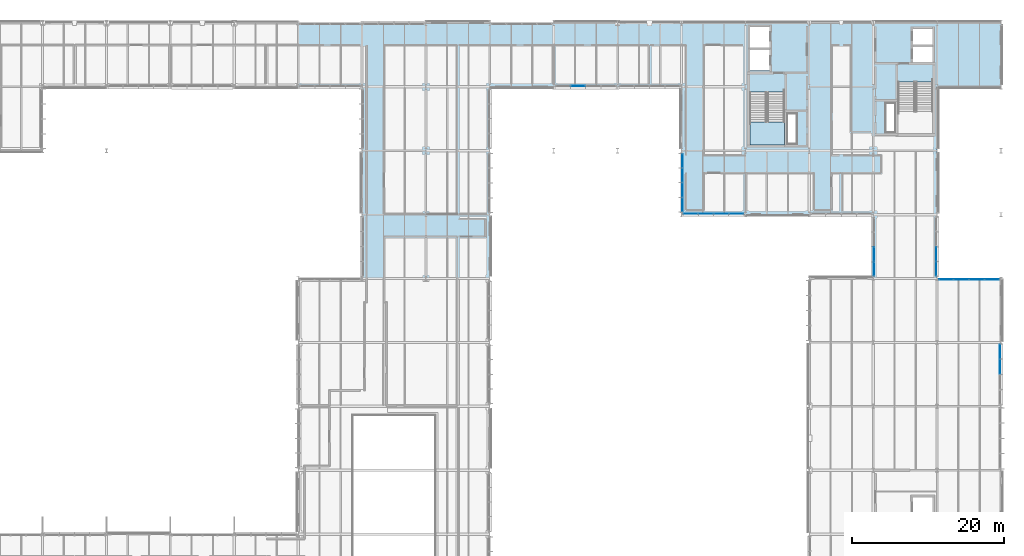
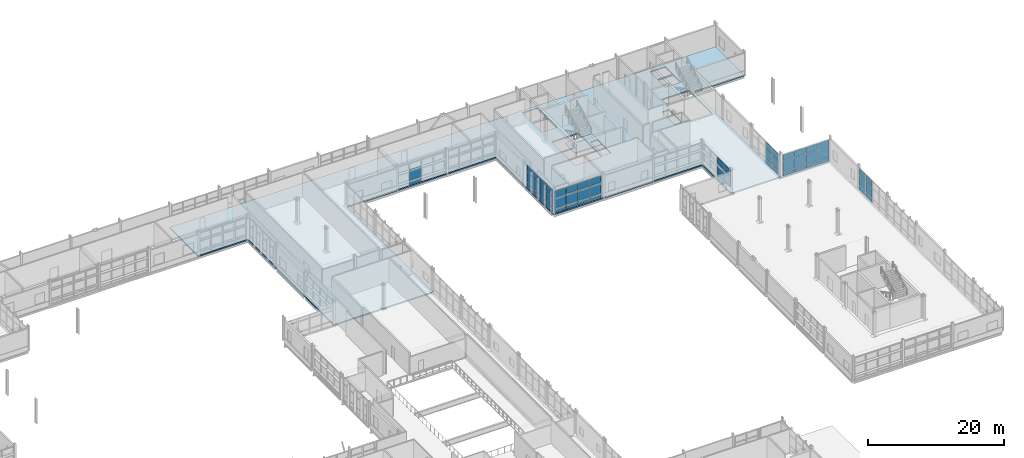
# One storey, part 91 of 129: 55 plates, 2 slabs, 8 elements without a shape of their own.
"""IFC4 building model written with IfcOpenShell, lengths in metres."""

from ifc_helpers import new_model, si_unit, direction, frame, origin, origin_2d, place, context, subcontext, project, spatial, polyline, rectangle, outline, extrude, material, layer, layer_set, type_object, element, aggregate, save


model = new_model("IFC4")

# Units and contexts
model_context = context("Model", 3, precision=1e-05, world=origin(), true_north=direction((0.0, 1.0)))
body_context = subcontext(model_context, "Body", "Model", "MODEL_VIEW")
ifc_project = project(units=[si_unit("LENGTHUNIT", "METRE"), si_unit("AREAUNIT", "SQUARE_METRE"), si_unit("VOLUMEUNIT", "CUBIC_METRE"), si_unit("PLANEANGLEUNIT", "RADIAN"), si_unit("MASSUNIT", "GRAM", prefix="KILO")], contexts=[model_context])

# Site, building, storey
site_placement = place(None, origin())
site = spatial("IfcSite", under=ifc_project, at=site_placement, CompositionType="ELEMENT")
building_placement = place(site_placement, origin())
building = spatial("IfcBuilding", under=site, at=building_placement, Name="Mersafa Astral City Hall", CompositionType="ELEMENT")
storey_placement = place(building_placement, frame((0.0, 0.0, 5.39990234375)))
storey = spatial("IfcBuildingStorey", under=building, at=storey_placement, Name="L01", CompositionType="ELEMENT", Elevation=5.39990234375)

# Curtain wall, plates
ifc_material_1 = material(Name="Anodised bronze aluminium framing", Category="aluminium")
curtain_wall_type_1 = type_object("IfcCurtainWallType", Name="ENV-CW-1", PredefinedType="USERDEFINED", material=ifc_material_1)
curtain_wall_1_placement = place(storey_placement, origin())
curtain_wall_1 = element("IfcCurtainWall", 1, at=curtain_wall_1_placement, inside=storey, type_object=curtain_wall_type_1, Name="L01 Unitised solar curtain wall 60", ObjectType="UNITISED CURTAIN WALL", PredefinedType="USERDEFINED")
ifc_material_2 = material(Name="Solar control low-e double glazing", Category="glass")
ifc_layer_1 = layer(ifc_material_2, 0.028076171875, Name="Solar control low-e double glazing")
ifc_layer_set_1 = layer_set([ifc_layer_1], Name="Solar control low-e double glazing — ENV-CW-PNL-GLZ-1")
plate_type_1 = type_object("IfcPlateType", Name="ENV-CW-PNL-GLZ-1", PredefinedType="CURTAIN_PANEL", material=ifc_layer_set_1)
plate_1_placement = place(storey_placement, frame((129.1904296875, 117.719970703125, 0.05810546875), z_axis=(0.0, 0.0, 1.0), x_axis=(1.0, 0.0, 0.0)))
plate_1 = element("IfcPlate", 2, at=plate_1_placement, type_object=plate_type_1, Name="CW-1 panel 2.1", PredefinedType="CURTAIN_PANEL", context=body_context, shape_type="SweptSolid", body=[
    extrude(rectangle(XDim=1.89892578125, YDim=0.028076171875, at=origin_2d()), origin(), (0.0, 0.0, 1.0), 0.761962890625),
])
plate_2_placement = place(storey_placement, frame((129.1904296875, 117.719970703125, 0.8798828125), z_axis=(0.0, 0.0, 1.0), x_axis=(1.0, 0.0, 0.0)))
plate_2 = element("IfcPlate", 3, at=plate_2_placement, type_object=plate_type_1, Name="CW-1 panel 2.2", PredefinedType="CURTAIN_PANEL", context=body_context, shape_type="SweptSolid", body=[
    extrude(rectangle(XDim=1.89892578125, YDim=0.028076171875, at=origin_2d()), origin(), (0.0, 0.0, 1.0), 1.840087890625),
])
aggregate(curtain_wall_1, [plate_1, plate_2])

curtain_wall_type_2 = type_object("IfcCurtainWallType", Name="ENV-CW-6", PredefinedType="USERDEFINED", material=ifc_material_1)
curtain_wall_2_placement = place(storey_placement, origin())
curtain_wall_2 = element("IfcCurtainWall", 4, at=curtain_wall_2_placement, inside=storey, type_object=curtain_wall_type_2, Name="L01 Unitised solar curtain wall 65", ObjectType="UNITISED CURTAIN WALL", PredefinedType="USERDEFINED")
ifc_layer_2 = layer(ifc_material_2, 0.031982421875, Name="Solar control low-e double glazing")
ifc_layer_set_2 = layer_set([ifc_layer_2], Name="Solar control low-e double glazing — ENV-CW-PNL-GLZ-2")
plate_type_2 = type_object("IfcPlateType", Name="ENV-CW-PNL-GLZ-2", PredefinedType="CURTAIN_PANEL", material=ifc_layer_set_2)
plate_3_placement = place(storey_placement, frame((168.1201171875, 95.5966796875, 0.05810546875), z_axis=(0.0, 0.0, 1.0), x_axis=(0.0, -1.0, 0.0)))
plate_3 = element("IfcPlate", 5, at=plate_3_placement, type_object=plate_type_2, Name="CW-6 panel 3.1", PredefinedType="CURTAIN_PANEL", context=body_context, shape_type="SweptSolid", body=[
    extrude(rectangle(XDim=1.83642578125, YDim=0.031982421875, at=origin_2d()), origin(), (0.0, 0.0, 1.0), 0.761962890625),
])
plate_4_placement = place(storey_placement, frame((168.1201171875, 95.5966796875, 0.8798828125), z_axis=(0.0, 0.0, 1.0), x_axis=(0.0, -1.0, 0.0)))
plate_4 = element("IfcPlate", 6, at=plate_4_placement, type_object=plate_type_2, Name="CW-6 panel 3.2", PredefinedType="CURTAIN_PANEL", context=body_context, shape_type="SweptSolid", body=[
    extrude(rectangle(XDim=1.83642578125, YDim=0.031982421875, at=origin_2d()), origin(), (0.0, 0.0, 1.0), 1.840087890625),
])
plate_5_placement = place(storey_placement, frame((168.1201171875, 95.5966796875, 2.780029296875), z_axis=(0.0, 0.0, 1.0), x_axis=(0.0, -1.0, 0.0)))
plate_5 = element("IfcPlate", 7, at=plate_5_placement, type_object=plate_type_2, Name="CW-6 panel 3.3", PredefinedType="CURTAIN_PANEL", context=body_context, shape_type="SweptSolid", body=[
    extrude(rectangle(XDim=1.83642578125, YDim=0.031982421875, at=origin_2d()), origin(), (0.0, 0.0, 1.0), 1.14697265625),
])
plate_6_placement = place(storey_placement, frame((168.1201171875, 93.670166015625, 0.8798828125), z_axis=(0.0, 0.0, 1.0), x_axis=(0.0, -1.0, 0.0)))
plate_6 = element("IfcPlate", 8, at=plate_6_placement, type_object=plate_type_2, Name="CW-6 panel 4.2", PredefinedType="CURTAIN_PANEL", context=body_context, shape_type="SweptSolid", body=[
    extrude(rectangle(XDim=1.776611328125, YDim=0.031982421875, at=origin_2d()), origin(), (0.0, 0.0, 1.0), 1.840087890625),
])
plate_7_placement = place(storey_placement, frame((168.1201171875, 93.670166015625, 2.780029296875), z_axis=(0.0, 0.0, 1.0), x_axis=(0.0, -1.0, 0.0)))
plate_7 = element("IfcPlate", 9, at=plate_7_placement, type_object=plate_type_2, Name="CW-6 panel 4.3", PredefinedType="CURTAIN_PANEL", context=body_context, shape_type="SweptSolid", body=[
    extrude(rectangle(XDim=1.776611328125, YDim=0.031982421875, at=origin_2d()), origin(), (0.0, 0.0, 1.0), 1.14697265625),
])
aggregate(curtain_wall_2, [plate_3, plate_4, plate_5, plate_6, plate_7])

curtain_wall_type_3 = type_object("IfcCurtainWallType", Name="ENV-CW-2", PredefinedType="USERDEFINED", material=ifc_material_1)
curtain_wall_3_placement = place(storey_placement, origin())
curtain_wall_3 = element("IfcCurtainWall", 10, at=curtain_wall_3_placement, inside=storey, type_object=curtain_wall_type_3, Name="L01 Unitised solar curtain wall 73", ObjectType="UNITISED CURTAIN WALL", PredefinedType="USERDEFINED")
plate_8_placement = place(storey_placement, frame((184.679931640625, 80.8095703125, 0.05810546875), z_axis=(0.0, 0.0, 1.0), x_axis=(0.0, 1.0, 0.0)))
plate_8 = element("IfcPlate", 11, at=plate_8_placement, type_object=plate_type_2, Name="CW-2 panel 3.1", PredefinedType="CURTAIN_PANEL", context=body_context, shape_type="SweptSolid", body=[
    extrude(rectangle(XDim=1.89892578125, YDim=0.031982421875, at=origin_2d()), origin(), (0.0, 0.0, 1.0), 0.761962890625),
])
plate_9_placement = place(storey_placement, frame((184.679931640625, 80.8095703125, 0.8798828125), z_axis=(0.0, 0.0, 1.0), x_axis=(0.0, 1.0, 0.0)))
plate_9 = element("IfcPlate", 12, at=plate_9_placement, type_object=plate_type_2, Name="CW-2 panel 3.2", PredefinedType="CURTAIN_PANEL", context=body_context, shape_type="SweptSolid", body=[
    extrude(rectangle(XDim=1.89892578125, YDim=0.031982421875, at=origin_2d()), origin(), (0.0, 0.0, 1.0), 1.840087890625),
])
plate_10_placement = place(storey_placement, frame((184.679931640625, 80.8095703125, 2.780029296875), z_axis=(0.0, 0.0, 1.0), x_axis=(0.0, 1.0, 0.0)))
plate_10 = element("IfcPlate", 13, at=plate_10_placement, type_object=plate_type_2, Name="CW-2 panel 3.3", PredefinedType="CURTAIN_PANEL", context=body_context, shape_type="SweptSolid", body=[
    extrude(rectangle(XDim=1.89892578125, YDim=0.031982421875, at=origin_2d()), origin(), (0.0, 0.0, 1.0), 1.18701171875),
])
plate_11_placement = place(storey_placement, frame((184.679931640625, 82.798583984375, 0.05810546875), z_axis=(0.0, 0.0, 1.0), x_axis=(0.0, 1.0, 0.0)))
plate_11 = element("IfcPlate", 14, at=plate_11_placement, type_object=plate_type_2, Name="CW-2 panel 4.1", PredefinedType="CURTAIN_PANEL", context=body_context, shape_type="SweptSolid", body=[
    extrude(rectangle(XDim=1.839111328125, YDim=0.031982421875, at=origin_2d()), origin(), (0.0, 0.0, 1.0), 0.761962890625),
])
plate_12_placement = place(storey_placement, frame((184.679931640625, 82.798583984375, 0.8798828125), z_axis=(0.0, 0.0, 1.0), x_axis=(0.0, 1.0, 0.0)))
plate_12 = element("IfcPlate", 15, at=plate_12_placement, type_object=plate_type_2, Name="CW-2 panel 4.2", PredefinedType="CURTAIN_PANEL", context=body_context, shape_type="SweptSolid", body=[
    extrude(rectangle(XDim=1.839111328125, YDim=0.031982421875, at=origin_2d()), origin(), (0.0, 0.0, 1.0), 1.840087890625),
])
plate_13_placement = place(storey_placement, frame((184.679931640625, 82.798583984375, 2.780029296875), z_axis=(0.0, 0.0, 1.0), x_axis=(0.0, 1.0, 0.0)))
plate_13 = element("IfcPlate", 16, at=plate_13_placement, type_object=plate_type_2, Name="CW-2 panel 4.3", PredefinedType="CURTAIN_PANEL", context=body_context, shape_type="SweptSolid", body=[
    extrude(rectangle(XDim=1.839111328125, YDim=0.031982421875, at=origin_2d()), origin(), (0.0, 0.0, 1.0), 1.18701171875),
])
aggregate(curtain_wall_3, [plate_8, plate_9, plate_10, plate_11, plate_12, plate_13])

curtain_wall_type_4 = type_object("IfcCurtainWallType", Name="ENV-CW-3", PredefinedType="USERDEFINED", material=ifc_material_1)
curtain_wall_4_placement = place(storey_placement, origin())
curtain_wall_4 = element("IfcCurtainWall", 17, at=curtain_wall_4_placement, inside=storey, type_object=curtain_wall_type_4, Name="L01 Unitised solar curtain wall 62", ObjectType="UNITISED CURTAIN WALL", PredefinedType="USERDEFINED")
ifc_layer_3 = layer(ifc_material_2, 0.035888671875, Name="Solar control low-e double glazing")
ifc_layer_set_3 = layer_set([ifc_layer_3], Name="Solar control low-e double glazing — ENV-CW-PNL-GLZ-3")
plate_type_3 = type_object("IfcPlateType", Name="ENV-CW-PNL-GLZ-3", PredefinedType="CURTAIN_PANEL", material=ifc_layer_set_3)
plate_14_placement = place(storey_placement, frame((142.919921875, 107.885986328125, 0.05810546875), z_axis=(0.0, 0.0, 1.0), x_axis=(0.0, -1.0, 0.0)))
plate_14 = element("IfcPlate", 18, at=plate_14_placement, type_object=plate_type_3, Name="CW-3 panel 1.1", PredefinedType="CURTAIN_PANEL", context=body_context, shape_type="SweptSolid", body=[
    extrude(rectangle(XDim=1.763916015625, YDim=0.035888671875, at=origin_2d()), origin(), (0.0, 0.0, 1.0), 0.761962890625),
])
plate_15_placement = place(storey_placement, frame((142.919921875, 107.885986328125, 0.8798828125), z_axis=(0.0, 0.0, 1.0), x_axis=(0.0, -1.0, 0.0)))
plate_15 = element("IfcPlate", 19, at=plate_15_placement, type_object=plate_type_3, Name="CW-3 panel 1.2", PredefinedType="CURTAIN_PANEL", context=body_context, shape_type="SweptSolid", body=[
    extrude(rectangle(XDim=1.763916015625, YDim=0.035888671875, at=origin_2d()), origin(), (0.0, 0.0, 1.0), 1.840087890625),
])
plate_16_placement = place(storey_placement, frame((142.919921875, 107.885986328125, 2.780029296875), z_axis=(0.0, 0.0, 1.0), x_axis=(0.0, -1.0, 0.0)))
plate_16 = element("IfcPlate", 20, at=plate_16_placement, type_object=plate_type_3, Name="CW-3 panel 1.3", PredefinedType="CURTAIN_PANEL", context=body_context, shape_type="SweptSolid", body=[
    extrude(rectangle(XDim=1.763916015625, YDim=0.035888671875, at=origin_2d()), origin(), (0.0, 0.0, 1.0), 1.18701171875),
])
plate_17_placement = place(storey_placement, frame((142.919921875, 105.971923828125, 0.05810546875), z_axis=(0.0, 0.0, 1.0), x_axis=(0.0, -1.0, 0.0)))
plate_17 = element("IfcPlate", 21, at=plate_17_placement, type_object=plate_type_3, Name="CW-3 panel 2.1", PredefinedType="CURTAIN_PANEL", context=body_context, shape_type="SweptSolid", body=[
    extrude(rectangle(XDim=1.823974609375, YDim=0.035888671875, at=origin_2d()), origin(), (0.0, 0.0, 1.0), 0.761962890625),
])
plate_18_placement = place(storey_placement, frame((142.919921875, 105.971923828125, 0.8798828125), z_axis=(0.0, 0.0, 1.0), x_axis=(0.0, -1.0, 0.0)))
plate_18 = element("IfcPlate", 22, at=plate_18_placement, type_object=plate_type_3, Name="CW-3 panel 2.2", PredefinedType="CURTAIN_PANEL", context=body_context, shape_type="SweptSolid", body=[
    extrude(rectangle(XDim=1.823974609375, YDim=0.035888671875, at=origin_2d()), origin(), (0.0, 0.0, 1.0), 1.840087890625),
])
plate_19_placement = place(storey_placement, frame((142.919921875, 105.971923828125, 2.780029296875), z_axis=(0.0, 0.0, 1.0), x_axis=(0.0, -1.0, 0.0)))
plate_19 = element("IfcPlate", 23, at=plate_19_placement, type_object=plate_type_3, Name="CW-3 panel 2.3", PredefinedType="CURTAIN_PANEL", context=body_context, shape_type="SweptSolid", body=[
    extrude(rectangle(XDim=1.823974609375, YDim=0.035888671875, at=origin_2d()), origin(), (0.0, 0.0, 1.0), 1.18701171875),
])
plate_20_placement = place(storey_placement, frame((142.919921875, 104.028076171875, 0.05810546875), z_axis=(0.0, 0.0, 1.0), x_axis=(0.0, -1.0, 0.0)))
plate_20 = element("IfcPlate", 24, at=plate_20_placement, type_object=plate_type_3, Name="CW-3 panel 3.1", PredefinedType="CURTAIN_PANEL", context=body_context, shape_type="SweptSolid", body=[
    extrude(rectangle(XDim=1.823974609375, YDim=0.035888671875, at=origin_2d()), origin(), (0.0, 0.0, 1.0), 0.761962890625),
])
plate_21_placement = place(storey_placement, frame((142.919921875, 104.028076171875, 0.8798828125), z_axis=(0.0, 0.0, 1.0), x_axis=(0.0, -1.0, 0.0)))
plate_21 = element("IfcPlate", 25, at=plate_21_placement, type_object=plate_type_3, Name="CW-3 panel 3.2", PredefinedType="CURTAIN_PANEL", context=body_context, shape_type="SweptSolid", body=[
    extrude(rectangle(XDim=1.823974609375, YDim=0.035888671875, at=origin_2d()), origin(), (0.0, 0.0, 1.0), 1.840087890625),
])
plate_22_placement = place(storey_placement, frame((142.919921875, 104.028076171875, 2.780029296875), z_axis=(0.0, 0.0, 1.0), x_axis=(0.0, -1.0, 0.0)))
plate_22 = element("IfcPlate", 26, at=plate_22_placement, type_object=plate_type_3, Name="CW-3 panel 3.3", PredefinedType="CURTAIN_PANEL", context=body_context, shape_type="SweptSolid", body=[
    extrude(rectangle(XDim=1.823974609375, YDim=0.035888671875, at=origin_2d()), origin(), (0.0, 0.0, 1.0), 1.18701171875),
])
plate_23_placement = place(storey_placement, frame((142.919921875, 102.114013671875, 0.05810546875), z_axis=(0.0, 0.0, 1.0), x_axis=(0.0, -1.0, 0.0)))
plate_23 = element("IfcPlate", 27, at=plate_23_placement, type_object=plate_type_3, Name="CW-3 panel 4.1", PredefinedType="CURTAIN_PANEL", context=body_context, shape_type="SweptSolid", body=[
    extrude(rectangle(XDim=1.763916015625, YDim=0.035888671875, at=origin_2d()), origin(), (0.0, 0.0, 1.0), 0.761962890625),
])
plate_24_placement = place(storey_placement, frame((142.919921875, 102.114013671875, 0.8798828125), z_axis=(0.0, 0.0, 1.0), x_axis=(0.0, -1.0, 0.0)))
plate_24 = element("IfcPlate", 28, at=plate_24_placement, type_object=plate_type_3, Name="CW-3 panel 4.2", PredefinedType="CURTAIN_PANEL", context=body_context, shape_type="SweptSolid", body=[
    extrude(rectangle(XDim=1.763916015625, YDim=0.035888671875, at=origin_2d()), origin(), (0.0, 0.0, 1.0), 1.840087890625),
])
plate_25_placement = place(storey_placement, frame((142.919921875, 102.114013671875, 2.780029296875), z_axis=(0.0, 0.0, 1.0), x_axis=(0.0, -1.0, 0.0)))
plate_25 = element("IfcPlate", 29, at=plate_25_placement, type_object=plate_type_3, Name="CW-3 panel 4.3", PredefinedType="CURTAIN_PANEL", context=body_context, shape_type="SweptSolid", body=[
    extrude(rectangle(XDim=1.763916015625, YDim=0.035888671875, at=origin_2d()), origin(), (0.0, 0.0, 1.0), 1.18701171875),
])
aggregate(curtain_wall_4, [plate_14, plate_15, plate_16, plate_17, plate_18, plate_19, plate_20, plate_21, plate_22, plate_23, plate_24, plate_25])

curtain_wall_5_placement = place(storey_placement, origin())
curtain_wall_5 = element("IfcCurtainWall", 30, at=curtain_wall_5_placement, inside=storey, type_object=curtain_wall_type_4, Name="L01 Unitised solar curtain wall 74", ObjectType="UNITISED CURTAIN WALL", PredefinedType="USERDEFINED")
plate_26_placement = place(storey_placement, frame((183.598388671875, 92.280029296875, 0.05810546875), z_axis=(0.0, 0.0, 1.0), x_axis=(-1.0, 0.0, 0.0)))
plate_26 = element("IfcPlate", 31, at=plate_26_placement, type_object=plate_type_3, Name="CW-3 panel 1.1", PredefinedType="CURTAIN_PANEL", context=body_context, shape_type="SweptSolid", body=[
    extrude(rectangle(XDim=1.839111328125, YDim=0.035888671875, at=origin_2d()), origin(), (0.0, 0.0, 1.0), 0.761962890625),
])
plate_27_placement = place(storey_placement, frame((183.598388671875, 92.280029296875, 0.8798828125), z_axis=(0.0, 0.0, 1.0), x_axis=(-1.0, 0.0, 0.0)))
plate_27 = element("IfcPlate", 32, at=plate_27_placement, type_object=plate_type_3, Name="CW-3 panel 1.2", PredefinedType="CURTAIN_PANEL", context=body_context, shape_type="SweptSolid", body=[
    extrude(rectangle(XDim=1.839111328125, YDim=0.035888671875, at=origin_2d()), origin(), (0.0, 0.0, 1.0), 1.840087890625),
])
plate_28_placement = place(storey_placement, frame((183.598388671875, 92.280029296875, 2.7802734375), z_axis=(0.0, 0.0, 1.0), x_axis=(-1.0, 0.0, 0.0)))
plate_28 = element("IfcPlate", 33, at=plate_28_placement, type_object=plate_type_3, Name="CW-3 panel 1.3", PredefinedType="CURTAIN_PANEL", context=body_context, shape_type="SweptSolid", body=[
    extrude(rectangle(XDim=1.839111328125, YDim=0.035888671875, at=origin_2d()), origin(), (0.0, 0.0, 1.0), 1.096923828125),
])
plate_29_placement = place(storey_placement, frame((181.609619140625, 92.280029296875, 0.05810546875), z_axis=(0.0, 0.0, 1.0), x_axis=(-1.0, 0.0, 0.0)))
plate_29 = element("IfcPlate", 34, at=plate_29_placement, type_object=plate_type_3, Name="CW-3 panel 2.1", PredefinedType="CURTAIN_PANEL", context=body_context, shape_type="SweptSolid", body=[
    extrude(rectangle(XDim=1.89892578125, YDim=0.035888671875, at=origin_2d()), origin(), (0.0, 0.0, 1.0), 0.761962890625),
])
plate_30_placement = place(storey_placement, frame((181.609619140625, 92.280029296875, 0.8798828125), z_axis=(0.0, 0.0, 1.0), x_axis=(-1.0, 0.0, 0.0)))
plate_30 = element("IfcPlate", 35, at=plate_30_placement, type_object=plate_type_3, Name="CW-3 panel 2.2", PredefinedType="CURTAIN_PANEL", context=body_context, shape_type="SweptSolid", body=[
    extrude(rectangle(XDim=1.89892578125, YDim=0.035888671875, at=origin_2d()), origin(), (0.0, 0.0, 1.0), 1.840087890625),
])
plate_31_placement = place(storey_placement, frame((181.609619140625, 92.280029296875, 2.7802734375), z_axis=(0.0, 0.0, 1.0), x_axis=(-1.0, 0.0, 0.0)))
plate_31 = element("IfcPlate", 36, at=plate_31_placement, type_object=plate_type_3, Name="CW-3 panel 2.3", PredefinedType="CURTAIN_PANEL", context=body_context, shape_type="SweptSolid", body=[
    extrude(rectangle(XDim=1.89892578125, YDim=0.035888671875, at=origin_2d()), origin(), (0.0, 0.0, 1.0), 1.096923828125),
])
plate_32_placement = place(storey_placement, frame((179.590576171875, 92.280029296875, 0.05810546875), z_axis=(0.0, 0.0, 1.0), x_axis=(-1.0, 0.0, 0.0)))
plate_32 = element("IfcPlate", 37, at=plate_32_placement, type_object=plate_type_3, Name="CW-3 panel 3.1", PredefinedType="CURTAIN_PANEL", context=body_context, shape_type="SweptSolid", body=[
    extrude(rectangle(XDim=1.89892578125, YDim=0.035888671875, at=origin_2d()), origin(), (0.0, 0.0, 1.0), 0.761962890625),
])
plate_33_placement = place(storey_placement, frame((179.590576171875, 92.280029296875, 0.8798828125), z_axis=(0.0, 0.0, 1.0), x_axis=(-1.0, 0.0, 0.0)))
plate_33 = element("IfcPlate", 38, at=plate_33_placement, type_object=plate_type_3, Name="CW-3 panel 3.2", PredefinedType="CURTAIN_PANEL", context=body_context, shape_type="SweptSolid", body=[
    extrude(rectangle(XDim=1.89892578125, YDim=0.035888671875, at=origin_2d()), origin(), (0.0, 0.0, 1.0), 1.840087890625),
])
plate_34_placement = place(storey_placement, frame((179.590576171875, 92.280029296875, 2.7802734375), z_axis=(0.0, 0.0, 1.0), x_axis=(-1.0, 0.0, 0.0)))
plate_34 = element("IfcPlate", 39, at=plate_34_placement, type_object=plate_type_3, Name="CW-3 panel 3.3", PredefinedType="CURTAIN_PANEL", context=body_context, shape_type="SweptSolid", body=[
    extrude(rectangle(XDim=1.89892578125, YDim=0.035888671875, at=origin_2d()), origin(), (0.0, 0.0, 1.0), 1.096923828125),
])
plate_35_placement = place(storey_placement, frame((177.6015625, 92.280029296875, 0.05810546875), z_axis=(0.0, 0.0, 1.0), x_axis=(-1.0, 0.0, 0.0)))
plate_35 = element("IfcPlate", 40, at=plate_35_placement, type_object=plate_type_3, Name="CW-3 panel 4.1", PredefinedType="CURTAIN_PANEL", context=body_context, shape_type="SweptSolid", body=[
    extrude(rectangle(XDim=1.839111328125, YDim=0.035888671875, at=origin_2d()), origin(), (0.0, 0.0, 1.0), 0.761962890625),
])
plate_36_placement = place(storey_placement, frame((177.6015625, 92.280029296875, 0.8798828125), z_axis=(0.0, 0.0, 1.0), x_axis=(-1.0, 0.0, 0.0)))
plate_36 = element("IfcPlate", 41, at=plate_36_placement, type_object=plate_type_3, Name="CW-3 panel 4.2", PredefinedType="CURTAIN_PANEL", context=body_context, shape_type="SweptSolid", body=[
    extrude(rectangle(XDim=1.839111328125, YDim=0.035888671875, at=origin_2d()), origin(), (0.0, 0.0, 1.0), 1.840087890625),
])
plate_37_placement = place(storey_placement, frame((177.6015625, 92.280029296875, 2.7802734375), z_axis=(0.0, 0.0, 1.0), x_axis=(-1.0, 0.0, 0.0)))
plate_37 = element("IfcPlate", 42, at=plate_37_placement, type_object=plate_type_3, Name="CW-3 panel 4.3", PredefinedType="CURTAIN_PANEL", context=body_context, shape_type="SweptSolid", body=[
    extrude(rectangle(XDim=1.839111328125, YDim=0.035888671875, at=origin_2d()), origin(), (0.0, 0.0, 1.0), 1.096923828125),
])
aggregate(curtain_wall_5, [plate_26, plate_27, plate_28, plate_29, plate_30, plate_31, plate_32, plate_33, plate_34, plate_35, plate_36, plate_37])

curtain_wall_type_5 = type_object("IfcCurtainWallType", Name="ENV-CW-4", PredefinedType="USERDEFINED", material=ifc_material_1)
curtain_wall_6_placement = place(storey_placement, origin())
curtain_wall_6 = element("IfcCurtainWall", 43, at=curtain_wall_6_placement, inside=storey, type_object=curtain_wall_type_5, Name="L01 Unitised solar curtain wall 63", ObjectType="UNITISED CURTAIN WALL", PredefinedType="USERDEFINED")
ifc_layer_4 = layer(ifc_material_2, 0.0400390625, Name="Solar control low-e double glazing")
ifc_layer_set_4 = layer_set([ifc_layer_4], Name="Solar control low-e double glazing — ENV-CW-PNL-GLZ-4")
plate_type_4 = type_object("IfcPlateType", Name="ENV-CW-PNL-GLZ-4", PredefinedType="CURTAIN_PANEL", material=ifc_layer_set_4)
plate_38_placement = place(storey_placement, frame((144.00146484375, 100.919921875, 0.05810546875), z_axis=(0.0, 0.0, 1.0), x_axis=(1.0, 0.0, 0.0)))
plate_38 = element("IfcPlate", 44, at=plate_38_placement, type_object=plate_type_4, Name="CW-4 panel 1.1", PredefinedType="CURTAIN_PANEL", context=body_context, shape_type="SweptSolid", body=[
    extrude(rectangle(XDim=1.839111328125, YDim=0.0400390625, at=origin_2d()), origin(), (0.0, 0.0, 1.0), 0.761962890625),
])
plate_39_placement = place(storey_placement, frame((144.00146484375, 100.919921875, 0.8798828125), z_axis=(0.0, 0.0, 1.0), x_axis=(1.0, 0.0, 0.0)))
plate_39 = element("IfcPlate", 45, at=plate_39_placement, type_object=plate_type_4, Name="CW-4 panel 1.2", PredefinedType="CURTAIN_PANEL", context=body_context, shape_type="SweptSolid", body=[
    extrude(rectangle(XDim=1.839111328125, YDim=0.0400390625, at=origin_2d()), origin(), (0.0, 0.0, 1.0), 1.840087890625),
])
plate_40_placement = place(storey_placement, frame((144.00146484375, 100.919921875, 2.780029296875), z_axis=(0.0, 0.0, 1.0), x_axis=(1.0, 0.0, 0.0)))
plate_40 = element("IfcPlate", 46, at=plate_40_placement, type_object=plate_type_4, Name="CW-4 panel 1.3", PredefinedType="CURTAIN_PANEL", context=body_context, shape_type="SweptSolid", body=[
    extrude(rectangle(XDim=1.839111328125, YDim=0.0400390625, at=origin_2d()), origin(), (0.0, 0.0, 1.0), 1.126953125),
])
plate_41_placement = place(storey_placement, frame((145.990478515625, 100.919921875, 0.05810546875), z_axis=(0.0, 0.0, 1.0), x_axis=(1.0, 0.0, 0.0)))
plate_41 = element("IfcPlate", 47, at=plate_41_placement, type_object=plate_type_4, Name="CW-4 panel 2.1", PredefinedType="CURTAIN_PANEL", context=body_context, shape_type="SweptSolid", body=[
    extrude(rectangle(XDim=1.89892578125, YDim=0.0400390625, at=origin_2d()), origin(), (0.0, 0.0, 1.0), 0.761962890625),
])
plate_42_placement = place(storey_placement, frame((145.990478515625, 100.919921875, 0.8798828125), z_axis=(0.0, 0.0, 1.0), x_axis=(1.0, 0.0, 0.0)))
plate_42 = element("IfcPlate", 48, at=plate_42_placement, type_object=plate_type_4, Name="CW-4 panel 2.2", PredefinedType="CURTAIN_PANEL", context=body_context, shape_type="SweptSolid", body=[
    extrude(rectangle(XDim=1.89892578125, YDim=0.0400390625, at=origin_2d()), origin(), (0.0, 0.0, 1.0), 1.840087890625),
])
plate_43_placement = place(storey_placement, frame((145.990478515625, 100.919921875, 2.780029296875), z_axis=(0.0, 0.0, 1.0), x_axis=(1.0, 0.0, 0.0)))
plate_43 = element("IfcPlate", 49, at=plate_43_placement, type_object=plate_type_4, Name="CW-4 panel 2.3", PredefinedType="CURTAIN_PANEL", context=body_context, shape_type="SweptSolid", body=[
    extrude(rectangle(XDim=1.89892578125, YDim=0.0400390625, at=origin_2d()), origin(), (0.0, 0.0, 1.0), 1.126953125),
])
plate_44_placement = place(storey_placement, frame((148.009521484375, 100.919921875, 0.05810546875), z_axis=(0.0, 0.0, 1.0), x_axis=(1.0, 0.0, 0.0)))
plate_44 = element("IfcPlate", 50, at=plate_44_placement, type_object=plate_type_4, Name="CW-4 panel 3.1", PredefinedType="CURTAIN_PANEL", context=body_context, shape_type="SweptSolid", body=[
    extrude(rectangle(XDim=1.89892578125, YDim=0.0400390625, at=origin_2d()), origin(), (0.0, 0.0, 1.0), 0.761962890625),
])
plate_45_placement = place(storey_placement, frame((148.009521484375, 100.919921875, 0.8798828125), z_axis=(0.0, 0.0, 1.0), x_axis=(1.0, 0.0, 0.0)))
plate_45 = element("IfcPlate", 51, at=plate_45_placement, type_object=plate_type_4, Name="CW-4 panel 3.2", PredefinedType="CURTAIN_PANEL", context=body_context, shape_type="SweptSolid", body=[
    extrude(rectangle(XDim=1.89892578125, YDim=0.0400390625, at=origin_2d()), origin(), (0.0, 0.0, 1.0), 1.840087890625),
])
plate_46_placement = place(storey_placement, frame((148.009521484375, 100.919921875, 2.780029296875), z_axis=(0.0, 0.0, 1.0), x_axis=(1.0, 0.0, 0.0)))
plate_46 = element("IfcPlate", 52, at=plate_46_placement, type_object=plate_type_4, Name="CW-4 panel 3.3", PredefinedType="CURTAIN_PANEL", context=body_context, shape_type="SweptSolid", body=[
    extrude(rectangle(XDim=1.89892578125, YDim=0.0400390625, at=origin_2d()), origin(), (0.0, 0.0, 1.0), 1.126953125),
])
plate_47_placement = place(storey_placement, frame((149.99853515625, 100.919921875, 0.05810546875), z_axis=(0.0, 0.0, 1.0), x_axis=(1.0, 0.0, 0.0)))
plate_47 = element("IfcPlate", 53, at=plate_47_placement, type_object=plate_type_4, Name="CW-4 panel 4.1", PredefinedType="CURTAIN_PANEL", context=body_context, shape_type="SweptSolid", body=[
    extrude(rectangle(XDim=1.839111328125, YDim=0.0400390625, at=origin_2d()), origin(), (0.0, 0.0, 1.0), 0.761962890625),
])
plate_48_placement = place(storey_placement, frame((149.99853515625, 100.919921875, 0.8798828125), z_axis=(0.0, 0.0, 1.0), x_axis=(1.0, 0.0, 0.0)))
plate_48 = element("IfcPlate", 54, at=plate_48_placement, type_object=plate_type_4, Name="CW-4 panel 4.2", PredefinedType="CURTAIN_PANEL", context=body_context, shape_type="SweptSolid", body=[
    extrude(rectangle(XDim=1.839111328125, YDim=0.0400390625, at=origin_2d()), origin(), (0.0, 0.0, 1.0), 1.840087890625),
])
plate_49_placement = place(storey_placement, frame((149.99853515625, 100.919921875, 2.780029296875), z_axis=(0.0, 0.0, 1.0), x_axis=(1.0, 0.0, 0.0)))
plate_49 = element("IfcPlate", 55, at=plate_49_placement, type_object=plate_type_4, Name="CW-4 panel 4.3", PredefinedType="CURTAIN_PANEL", context=body_context, shape_type="SweptSolid", body=[
    extrude(rectangle(XDim=1.839111328125, YDim=0.0400390625, at=origin_2d()), origin(), (0.0, 0.0, 1.0), 1.126953125),
])
aggregate(curtain_wall_6, [plate_38, plate_39, plate_40, plate_41, plate_42, plate_43, plate_44, plate_45, plate_46, plate_47, plate_48, plate_49])

curtain_wall_7_placement = place(storey_placement, origin())
curtain_wall_7 = element("IfcCurtainWall", 56, at=curtain_wall_7_placement, inside=storey, type_object=curtain_wall_type_5, Name="L01 Unitised solar curtain wall 75", ObjectType="UNITISED CURTAIN WALL", PredefinedType="USERDEFINED")
plate_50_placement = place(storey_placement, frame((176.280029296875, 93.676513671875, 0.05810546875), z_axis=(0.0, 0.0, 1.0), x_axis=(0.0, 1.0, 0.0)))
plate_50 = element("IfcPlate", 57, at=plate_50_placement, type_object=plate_type_4, Name="CW-4 panel 1.1", PredefinedType="CURTAIN_PANEL", context=body_context, shape_type="SweptSolid", body=[
    extrude(rectangle(XDim=1.7890625, YDim=0.0400390625, at=origin_2d()), origin(), (0.0, 0.0, 1.0), 0.761962890625),
])
plate_51_placement = place(storey_placement, frame((176.280029296875, 93.676513671875, 0.8798828125), z_axis=(0.0, 0.0, 1.0), x_axis=(0.0, 1.0, 0.0)))
plate_51 = element("IfcPlate", 58, at=plate_51_placement, type_object=plate_type_4, Name="CW-4 panel 1.2", PredefinedType="CURTAIN_PANEL", context=body_context, shape_type="SweptSolid", body=[
    extrude(rectangle(XDim=1.7890625, YDim=0.0400390625, at=origin_2d()), origin(), (0.0, 0.0, 1.0), 1.840087890625),
])
plate_52_placement = place(storey_placement, frame((176.280029296875, 93.676513671875, 2.7802734375), z_axis=(0.0, 0.0, 1.0), x_axis=(0.0, 1.0, 0.0)))
plate_52 = element("IfcPlate", 59, at=plate_52_placement, type_object=plate_type_4, Name="CW-4 panel 1.3", PredefinedType="CURTAIN_PANEL", context=body_context, shape_type="SweptSolid", body=[
    extrude(rectangle(XDim=1.7890625, YDim=0.0400390625, at=origin_2d()), origin(), (0.0, 0.0, 1.0), 1.096923828125),
])
plate_53_placement = place(storey_placement, frame((176.280029296875, 95.615478515625, 0.05810546875), z_axis=(0.0, 0.0, 1.0), x_axis=(0.0, 1.0, 0.0)))
plate_53 = element("IfcPlate", 60, at=plate_53_placement, type_object=plate_type_4, Name="CW-4 panel 2.1", PredefinedType="CURTAIN_PANEL", context=body_context, shape_type="SweptSolid", body=[
    extrude(rectangle(XDim=1.84912109375, YDim=0.0400390625, at=origin_2d()), origin(), (0.0, 0.0, 1.0), 0.761962890625),
])
plate_54_placement = place(storey_placement, frame((176.280029296875, 95.615478515625, 0.8798828125), z_axis=(0.0, 0.0, 1.0), x_axis=(0.0, 1.0, 0.0)))
plate_54 = element("IfcPlate", 61, at=plate_54_placement, type_object=plate_type_4, Name="CW-4 panel 2.2", PredefinedType="CURTAIN_PANEL", context=body_context, shape_type="SweptSolid", body=[
    extrude(rectangle(XDim=1.84912109375, YDim=0.0400390625, at=origin_2d()), origin(), (0.0, 0.0, 1.0), 1.840087890625),
])
plate_55_placement = place(storey_placement, frame((176.280029296875, 95.615478515625, 2.7802734375), z_axis=(0.0, 0.0, 1.0), x_axis=(0.0, 1.0, 0.0)))
plate_55 = element("IfcPlate", 62, at=plate_55_placement, type_object=plate_type_4, Name="CW-4 panel 2.3", PredefinedType="CURTAIN_PANEL", context=body_context, shape_type="SweptSolid", body=[
    extrude(rectangle(XDim=1.84912109375, YDim=0.0400390625, at=origin_2d()), origin(), (0.0, 0.0, 1.0), 1.096923828125),
])
aggregate(curtain_wall_7, [plate_50, plate_51, plate_52, plate_53, plate_54, plate_55])

# Stair, slab
ifc_material_3 = material(Name="Concrete C40/50", Category="concrete")
stair_type = type_object("IfcStairType", Name="STAIR", PredefinedType="HALF_TURN_STAIR", material=ifc_material_3)
stair_placement = place(storey_placement, origin())
stair = element("IfcStair", 63, at=stair_placement, inside=storey, type_object=stair_type, Name="L01 Protected Exit Stair ST1", PredefinedType="HALF_TURN_STAIR")
ifc_layer_5 = layer(ifc_material_3, 0.199951171875, Name="Concrete C40/50")
ifc_layer_set_5 = layer_set([ifc_layer_5], Name="Concrete C40/50 — STAIR-LANDING")
slab_type_1 = type_object("IfcSlabType", Name="STAIR-LANDING", PredefinedType="LANDING", material=ifc_layer_set_5)
slab_1_placement = place(storey_placement, frame((0.0, 0.0, 2.050048828125)))
slab_1 = element("IfcSlab", 64, at=slab_1_placement, type_object=slab_type_1, Name="ST1 landing 1", PredefinedType="LANDING", context=body_context, shape_type="SweptSolid", body=[
    extrude(outline(polyline([(151.780029296875, 113.0), (151.780029296875, 109.949951171875), (156.340087890625, 109.949951171875), (156.340087890625, 113.0), (151.780029296875, 113.0)])), origin(), (0.0, 0.0, 1.0), 0.199951171875),
])
aggregate(stair, [slab_1])

# Slab
ifc_material_4 = material(Name="Concrete C35/45", Category="concrete")
ifc_layer_6 = layer(ifc_material_4, 0.22509765625, Name="Concrete C35/45")
ifc_layer_set_6 = layer_set([ifc_layer_6], Name="Concrete C35/45 — STR-SLAB-FLR-225")
slab_type_2 = type_object("IfcSlabType", Name="STR-SLAB-FLR-225", PredefinedType="FLOOR", material=ifc_layer_set_6)
slab_2_placement = place(storey_placement, frame((0.0, 0.0, -0.224853515625)))
element("IfcSlab", 65, at=slab_2_placement, inside=storey, type_object=slab_type_2, Name="L01 V6 structural floor slab 1", PredefinedType="FLOOR", context=body_context, shape_type="SweptSolid", body=[
    extrude(outline(polyline([(92.39990234375, 117.60009765625), (92.39990234375, 126.0), (100.800048828125, 126.0), (109.199951171875, 126.0), (117.60009765625, 126.0), (126.0, 126.0), (134.39990234375, 126.0), (142.800048828125, 126.0), (151.199951171875, 126.0), (159.60009765625, 126.0), (168.0, 126.0), (176.39990234375, 126.0), (184.800048828125, 126.0), (184.800048828125, 117.60009765625), (176.39990234375, 117.60009765625), (176.39990234375, 109.199951171875), (176.39990234375, 100.800048828125), (176.39990234375, 92.39990234375), (168.0, 92.39990234375), (168.0, 100.800048828125), (159.60009765625, 100.800048828125), (151.199951171875, 100.800048828125), (142.800048828125, 100.800048828125), (142.800048828125, 109.199951171875), (142.800048828125, 117.60009765625), (134.39990234375, 117.60009765625), (126.0, 117.60009765625), (117.60009765625, 117.60009765625), (117.60009765625, 109.199951171875), (117.60009765625, 100.800048828125), (117.60009765625, 92.39990234375), (109.199951171875, 92.39990234375), (100.800048828125, 92.39990234375), (100.800048828125, 100.800048828125), (100.800048828125, 109.199951171875), (100.800048828125, 117.60009765625), (92.39990234375, 117.60009765625)]), holes=[polyline([(157.929931640625, 110.14990234375), (157.929931640625, 114.050048828125), (156.75, 114.050048828125), (156.75, 110.14990234375), (157.929931640625, 110.14990234375)]), polyline([(151.780029296875, 109.949951171875), (156.340087890625, 109.949951171875), (156.340087890625, 116.89990234375), (151.780029296875, 116.89990234375), (151.780029296875, 109.949951171875)]), polyline([(170.85009765625, 111.64990234375), (170.85009765625, 115.449951171875), (169.669921875, 115.449951171875), (169.669921875, 111.64990234375), (170.85009765625, 111.64990234375)]), polyline([(171.260009765625, 118.260009765625), (171.260009765625, 111.449951171875), (175.820068359375, 111.449951171875), (175.820068359375, 118.260009765625), (171.260009765625, 118.260009765625)]), polyline([(154.3798828125, 119.75), (154.3798828125, 122.449951171875), (151.780029296875, 122.449951171875), (151.780029296875, 119.75), (154.3798828125, 119.75)]), polyline([(175.820068359375, 120.679931640625), (175.820068359375, 122.860107421875), (173.219970703125, 122.860107421875), (173.219970703125, 120.679931640625), (175.820068359375, 120.679931640625)]), polyline([(154.3798828125, 122.800048828125), (154.3798828125, 125.5), (151.780029296875, 125.5), (151.780029296875, 122.800048828125), (154.3798828125, 122.800048828125)]), polyline([(175.820068359375, 123.080078125), (175.820068359375, 125.260009765625), (173.219970703125, 125.260009765625), (173.219970703125, 123.080078125), (175.820068359375, 123.080078125)])]), origin(), (0.0, 0.0, 1.0), 0.224853515625),
])

save(model, "model.ifc")
